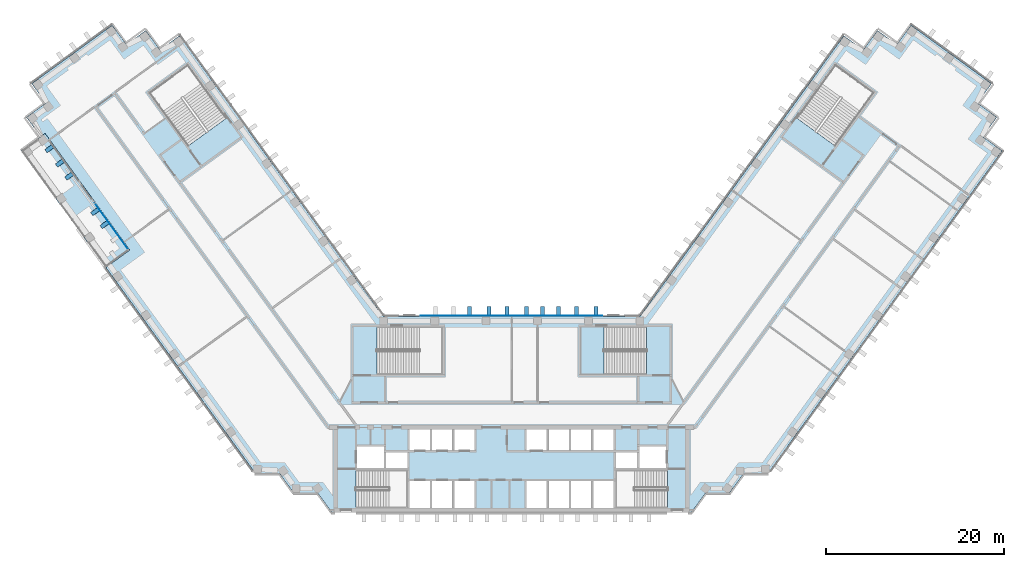
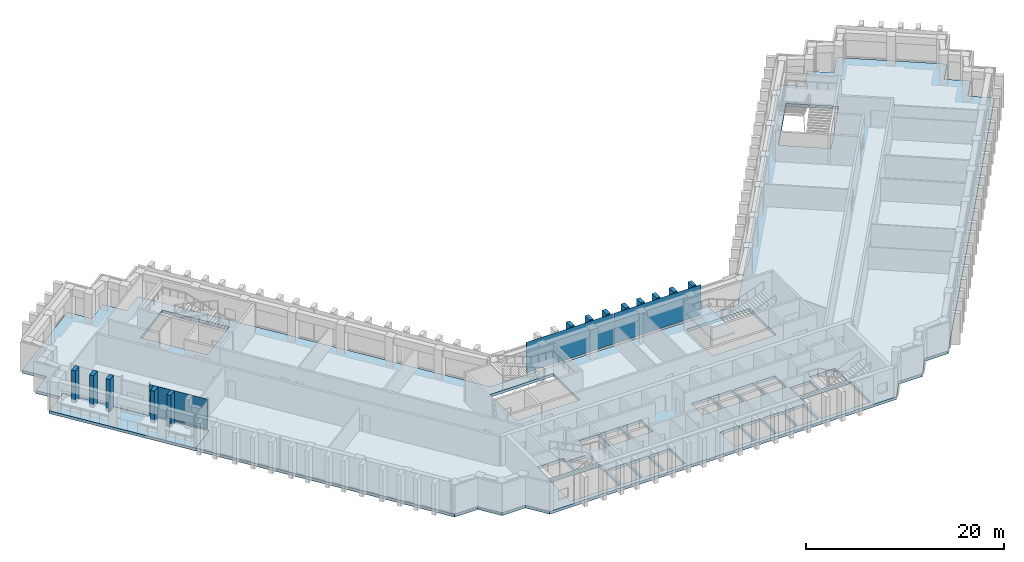
"""IFC4 building model written with IfcOpenShell, lengths in metres."""

from ifc_helpers import new_model, si_unit, direction, frame, origin, origin_2d, place, context, subcontext, project, spatial, polyline, rectangle, outline, extrude, material, layer, layer_set, type_object, element, aggregate, save


model = new_model("IFC4")

# Units and contexts
model_context = context("Model", 3, precision=1e-05, world=origin(), true_north=direction((0.0, 1.0)))
body_context = subcontext(model_context, "Body", "Model", "MODEL_VIEW")
ifc_project = project(units=[si_unit("LENGTHUNIT", "METRE"), si_unit("AREAUNIT", "SQUARE_METRE"), si_unit("VOLUMEUNIT", "CUBIC_METRE"), si_unit("PLANEANGLEUNIT", "RADIAN"), si_unit("MASSUNIT", "GRAM", prefix="KILO")], contexts=[model_context])

# Site, building, storey
site_placement = place(None, origin())
site = spatial("IfcSite", under=ifc_project, at=site_placement, CompositionType="ELEMENT")
building_placement = place(site_placement, origin())
building = spatial("IfcBuilding", under=site, at=building_placement, Name="Quipu Civic Tower", CompositionType="ELEMENT")
storey_1_placement = place(building_placement, frame((0.0, 0.0, 39.0)))
storey_1 = spatial("IfcBuildingStorey", under=building, at=storey_1_placement, Name="L08", CompositionType="ELEMENT", Elevation=39.0)

# Slab
ifc_material_1 = material(Name="Concrete C40/50", Category="concrete")
ifc_layer_1 = layer(ifc_material_1, 0.35009765625)
ifc_layer_set_1 = layer_set([ifc_layer_1], Name="Concrete C40/50")
slab_type_1 = type_object("IfcSlabType", Name="Floor slab 350 C40/50", PredefinedType="FLOOR", material=ifc_layer_set_1)
slab_1_placement = place(storey_1_placement, frame((0.0, 0.0, -0.35009765625)))
element("IfcSlab", 1, at=slab_1_placement, inside=storey_1, type_object=slab_type_1, Name="Floor slab L08", PredefinedType="FLOOR", context=body_context, shape_type="SweptSolid", body=[
    extrude(outline(polyline([(-52.3349609375, 34.97509765625), (-53.919921875, 37.159912109375), (-44.860107421875, 43.739990234375), (-43.27001953125, 41.56005859375), (-41.0849609375, 43.14501953125), (-39.5, 40.9599609375), (-37.31494140625, 42.550048828125), (-14.39501953125, 11.0), (14.39501953125, 11.0), (37.31494140625, 42.550048828125), (39.5, 40.9599609375), (41.0849609375, 43.14501953125), (43.27001953125, 41.56005859375), (44.860107421875, 43.739990234375), (53.919921875, 37.159912109375), (52.3349609375, 34.97509765625), (54.514892578125, 33.389892578125), (52.929931640625, 31.205078125), (55.114990234375, 29.614990234375), (28.780029296875, -6.6298828125), (26.080078125, -6.6298828125), (24.489990234375, -8.81494140625), (21.7900390625, -8.81494140625), (20.205078125, -11.0), (-20.205078125, -11.0), (-21.7900390625, -8.81494140625), (-24.489990234375, -8.81494140625), (-26.080078125, -6.6298828125), (-28.780029296875, -6.6298828125), (-45.590087890625, 16.510009765625), (-42.889892578125, 18.47509765625), (-52.409912109375, 31.580078125), (-52.929931640625, 31.205078125), (-54.514892578125, 33.389892578125), (-52.3349609375, 34.97509765625)]), holes=[polyline([(-11.449951171875, -7.5), (-11.449951171875, -10.5), (-9.14990234375, -10.5), (-9.14990234375, -7.5), (-11.449951171875, -7.5)]), polyline([(-6.64990234375, -7.5), (-8.949951171875, -7.5), (-8.949951171875, -10.5), (-6.64990234375, -10.5), (-6.64990234375, -7.5)]), polyline([(-4.14990234375, -7.5), (-6.449951171875, -7.5), (-6.449951171875, -10.5), (-4.14990234375, -10.5), (-4.14990234375, -7.5)]), polyline([(1.64990234375, -7.5), (1.64990234375, -10.5), (3.949951171875, -10.5), (3.949951171875, -7.5), (1.64990234375, -7.5)]), polyline([(-11.705078125, -10.4951171875), (-11.705078125, -6.2548828125), (-17.4951171875, -6.2548828125), (-17.4951171875, -10.4951171875), (-11.705078125, -10.4951171875)]), polyline([(-11.699951171875, -4.25), (-14.10009765625, -4.25), (-14.10009765625, -6.0), (-11.699951171875, -6.0), (-11.699951171875, -4.25)]), polyline([(-17.35009765625, -3.60009765625), (-17.35009765625, -6.0), (-14.35009765625, -6.0), (-14.35009765625, -3.60009765625), (-17.35009765625, -3.60009765625)]), polyline([(-9.14990234375, -1.699951171875), (-11.449951171875, -1.699951171875), (-11.449951171875, -4.0), (-9.14990234375, -4.0), (-9.14990234375, -1.699951171875)]), polyline([(-6.64990234375, -1.699951171875), (-8.949951171875, -1.699951171875), (-8.949951171875, -4.0), (-6.64990234375, -4.0), (-6.64990234375, -1.699951171875)]), polyline([(-6.449951171875, -1.699951171875), (-6.449951171875, -4.0), (-4.14990234375, -4.0), (-4.14990234375, -1.699951171875), (-6.449951171875, -1.699951171875)]), polyline([(-7.7548828125, 4.5048828125), (-7.7548828125, 9.844970703125), (-15.14501953125, 9.844970703125), (-15.14501953125, 4.5048828125), (-7.7548828125, 4.5048828125)]), polyline([(-36.364990234375, 39.27490234375), (-40.68505859375, 36.135009765625), (-36.344970703125, 30.159912109375), (-32.02490234375, 33.300048828125), (-36.364990234375, 39.27490234375)]), polyline([(4.14990234375, -7.5), (4.14990234375, -10.5), (6.449951171875, -10.5), (6.449951171875, -7.5), (4.14990234375, -7.5)]), polyline([(8.949951171875, -7.5), (6.64990234375, -7.5), (6.64990234375, -10.5), (8.949951171875, -10.5), (8.949951171875, -7.5)]), polyline([(11.449951171875, -7.5), (9.14990234375, -7.5), (9.14990234375, -10.5), (11.449951171875, -10.5), (11.449951171875, -7.5)]), polyline([(11.705078125, -10.4951171875), (17.4951171875, -10.4951171875), (17.4951171875, -6.2548828125), (11.705078125, -6.2548828125), (11.705078125, -10.4951171875)]), polyline([(14.10009765625, -4.25), (11.699951171875, -4.25), (11.699951171875, -6.0), (14.10009765625, -6.0), (14.10009765625, -4.25)]), polyline([(17.35009765625, -3.60009765625), (14.35009765625, -3.60009765625), (14.35009765625, -6.0), (17.35009765625, -6.0), (17.35009765625, -3.60009765625)]), polyline([(1.64990234375, -1.699951171875), (1.64990234375, -4.0), (3.949951171875, -4.0), (3.949951171875, -1.699951171875), (1.64990234375, -1.699951171875)]), polyline([(6.449951171875, -1.699951171875), (4.14990234375, -1.699951171875), (4.14990234375, -4.0), (6.449951171875, -4.0), (6.449951171875, -1.699951171875)]), polyline([(8.949951171875, -1.699951171875), (6.64990234375, -1.699951171875), (6.64990234375, -4.0), (8.949951171875, -4.0), (8.949951171875, -1.699951171875)]), polyline([(9.14990234375, -1.699951171875), (9.14990234375, -4.0), (11.449951171875, -4.0), (11.449951171875, -1.699951171875), (9.14990234375, -1.699951171875)]), polyline([(7.7548828125, 9.844970703125), (7.7548828125, 4.5048828125), (15.14501953125, 4.5048828125), (15.14501953125, 9.844970703125), (7.7548828125, 9.844970703125)]), polyline([(40.68505859375, 36.135009765625), (36.364990234375, 39.27490234375), (32.02490234375, 33.300048828125), (36.344970703125, 30.159912109375), (40.68505859375, 36.135009765625)])]), origin(), (0.0, 0.0, 1.0), 0.35009765625),
])

# Storey
storey_2_placement = place(building_placement, frame((0.0, 0.0, 35.0)))
storey_2 = spatial("IfcBuildingStorey", under=building, at=storey_2_placement, Name="L07", CompositionType="ELEMENT", Elevation=35.0)

# Curtain wall, plates
ifc_material_2 = material(Name="Insulated glass unit", Category="glass")
curtain_wall_type = type_object("IfcCurtainWallType", Name="Office curtain wall CW1", PredefinedType="NOTDEFINED", material=ifc_material_2)
curtain_wall_1_placement = place(storey_2_placement, origin())
curtain_wall_1 = element("IfcCurtainWall", 2, at=curtain_wall_1_placement, inside=storey_2, type_object=curtain_wall_type, Name="Office curtain wall CW1 L06 run 29", PredefinedType="NOTDEFINED")
ifc_material_3 = material(Name="Insulated glass unit", Category="glass")
ifc_layer_2 = layer(ifc_material_3, 0.028076171875)
ifc_layer_set_2 = layer_set([ifc_layer_2], Name="Insulated glass unit")
plate_type_1 = type_object("IfcPlateType", Name="Glass panel CW1", PredefinedType="CURTAIN_PANEL", material=ifc_layer_set_2)
plate_1_placement = place(storey_1_placement, frame((5.11181640625, 11.10009765625, 0.16015625), z_axis=(0.0, 0.0, 1.0), x_axis=(-1.0, 0.0, 0.0)))
plate_1 = element("IfcPlate", 3, at=plate_1_placement, inside=storey_1, type_object=plate_type_1, Name="CW1 panel 1.3", PredefinedType="CURTAIN_PANEL", context=body_context, shape_type="SweptSolid", body=[
    extrude(rectangle(XDim=10.1435546875, YDim=0.028076171875, at=origin_2d()), origin(), (0.0, 0.0, 1.0), 3.760009765625),
])
plate_2_placement = place(storey_1_placement, frame((-5.11181640625, 11.10009765625, 0.16015625), z_axis=(0.0, 0.0, 1.0), x_axis=(-1.0, 0.0, 0.0)))
plate_2 = element("IfcPlate", 4, at=plate_2_placement, inside=storey_1, type_object=plate_type_1, Name="CW1 panel 2.3", PredefinedType="CURTAIN_PANEL", context=body_context, shape_type="SweptSolid", body=[
    extrude(rectangle(XDim=10.1435546875, YDim=0.028076171875, at=origin_2d()), origin(), (0.0, 0.0, 1.0), 3.760009765625),
])
aggregate(curtain_wall_1, [plate_1, plate_2])

# Curtain wall, plate
curtain_wall_2_placement = place(storey_1_placement, origin())
curtain_wall_2 = element("IfcCurtainWall", 5, at=curtain_wall_2_placement, inside=storey_1, type_object=curtain_wall_type, Name="Office curtain wall CW1 L08 run 4", PredefinedType="NOTDEFINED")
plate_3_placement = place(storey_1_placement, frame((-44.943359375, 21.134033203125, 0.240234375), z_axis=(0.0, 0.0, 1.0), x_axis=(0.58778029524, -0.809020595861, 0.0)))
plate_3 = element("IfcPlate", 6, at=plate_3_placement, type_object=plate_type_1, Name="CW1 panel 1.1", PredefinedType="CURTAIN_PANEL", context=body_context, shape_type="SweptSolid", body=[
    extrude(rectangle(XDim=6.358154296875, YDim=0.028076171875, at=origin_2d()), origin(), (0.0, 0.0, 1.0), 3.679931640625),
])
aggregate(curtain_wall_2, [plate_3])

# Plates
ifc_material_4 = material(Name="Precast concrete C40/50", Category="concrete")
plate_type_2 = type_object("IfcPlateType", Name="Precast fin F1", PredefinedType="SHEET", material=ifc_material_4)
for number, where, z_axis, x_axis, name in (
    (7, (9.47509765625, 11.64990234375, 0.080078125), (0.0, 0.0, 1.0), (-1.0, 0.0, 0.0), "Precast fin F1 L08.P26.1"),
    (8, (7.27490234375, 11.64990234375, 0.080078125), (0.0, 0.0, 1.0), (-1.0, 0.0, 0.0), "Precast fin F1 L08.P26.2"),
    (9, (5.27490234375, 11.64990234375, 0.080078125), (0.0, 0.0, 1.0), (-1.0, 0.0, 0.0), "Precast fin F1 L08.P26.3"),
    (10, (3.47509765625, 11.64990234375, 0.080078125), (0.0, 0.0, 1.0), (-1.0, 0.0, 0.0), "Precast fin F1 L08.P26.4"),
    (11, (1.675048828125, 11.64990234375, 0.080078125), (0.0, 0.0, 1.0), (-1.0, 0.0, 0.0), "Precast fin F1 L08.P26.5"),
    (12, (-0.52490234375, 11.64990234375, 0.080078125), (0.0, 0.0, 1.0), (-1.0, 0.0, 0.0), "Precast fin F1 L08.P26.6"),
    (13, (-2.52490234375, 11.64990234375, 0.080078125), (0.0, 0.0, 1.0), (-1.0, 0.0, 0.0), "Precast fin F1 L08.P26.7"),
    (14, (-4.72509765625, 11.64990234375, 0.080078125), (0.0, 0.0, 1.0), (-1.0, 0.0, 0.0), "Precast fin F1 L08.P26.8"),
    (15, (-51.9453125, 29.8359375, 0.080078125), (0.0, 0.0, 1.0), (0.587783675566, -0.809018139931, 0.0), "Precast fin F1 L08.2.1"),
    (16, (-50.769775390625, 28.2177734375, 0.080078125), (0.0, 0.0, 1.0), (0.587783675566, -0.809018139931, 0.0), "Precast fin F1 L08.2.2"),
    (17, (-49.711669921875, 26.76171875, 0.080078125), (0.0, 0.0, 1.0), (0.587783675566, -0.809018139931, 0.0), "Precast fin F1 L08.2.3"),
    (18, (-46.80810546875, 22.76513671875, 0.080078125), (0.0, 0.0, 1.0), (0.587783675566, -0.809018139931, 0.0), "Precast fin F1 L08.4.1"),
    (19, (-45.75, 21.308837890625, 0.080078125), (0.0, 0.0, 1.0), (0.587783675566, -0.809018139931, 0.0), "Precast fin F1 L08.4.2"),
):
    element("IfcPlate", number, at=place(storey_1_placement, frame(where, z_axis=z_axis, x_axis=x_axis)), inside=storey_1, type_object=plate_type_2, Name=name, PredefinedType="SHEET", context=body_context, shape_type="SweptSolid", body=[
        extrude(rectangle(XDim=0.449951171875, YDim=0.89990234375, at=origin_2d()), origin(), (0.0, 0.0, 1.0), 3.919921875),
    ])

# Stair, slab
ifc_material_5 = material(Name="Concrete C40/50", Category="concrete")
stair_type = type_object("IfcStairType", Name="Half turn stair 2600", PredefinedType="HALF_TURN_STAIR", material=ifc_material_5)
stair_placement = place(storey_1_placement, origin())
stair = element("IfcStair", 20, at=stair_placement, inside=storey_1, type_object=stair_type, Name="Exit stair 4", PredefinedType="HALF_TURN_STAIR")
ifc_material_6 = material(Name="Concrete C40/50", Category="concrete")
ifc_layer_3 = layer(ifc_material_6, 0.199951171875)
ifc_layer_set_3 = layer_set([ifc_layer_3], Name="Concrete C40/50")
slab_type_2 = type_object("IfcSlabType", Name="Stair landing 200", PredefinedType="LANDING", material=ifc_layer_set_3)
slab_2_placement = place(storey_1_placement, frame((0.0, 0.0, 1.800048828125)))
slab_2 = element("IfcSlab", 21, at=slab_2_placement, type_object=slab_type_2, Name="ST-4 landing 1", PredefinedType="LANDING", context=body_context, shape_type="SweptSolid", body=[
    extrude(outline(polyline([(10.35009765625, 9.85009765625), (7.75, 9.85009765625), (7.75, 4.5), (10.35009765625, 4.5), (10.35009765625, 9.85009765625)])), origin(), (0.0, 0.0, 1.0), 0.199951171875),
])
aggregate(stair, [slab_2])

# Slab
ifc_material_7 = material(Name="Concrete C40/50", Category="concrete")
ifc_layer_4 = layer(ifc_material_7, 0.35009765625)
ifc_layer_set_4 = layer_set([ifc_layer_4], Name="Concrete C40/50")
slab_type_3 = type_object("IfcSlabType", Name="Terrace slab 350 C40/50", PredefinedType="FLOOR", material=ifc_layer_set_4)
slab_3_placement = place(storey_1_placement, frame((0.0, 0.0, -0.35009765625)))
element("IfcSlab", 22, at=slab_3_placement, inside=storey_1, type_object=slab_type_3, Name="Terrace slab L08", PredefinedType="FLOOR", context=body_context, shape_type="SweptSolid", body=[
    extrude(outline(polyline([(-52.409912109375, 31.580078125), (-42.889892578125, 18.47509765625), (-45.590087890625, 16.510009765625), (-55.114990234375, 29.614990234375), (-52.409912109375, 31.580078125)])), origin(), (0.0, 0.0, 1.0), 0.35009765625),
])

save(model, "model.ifc")
